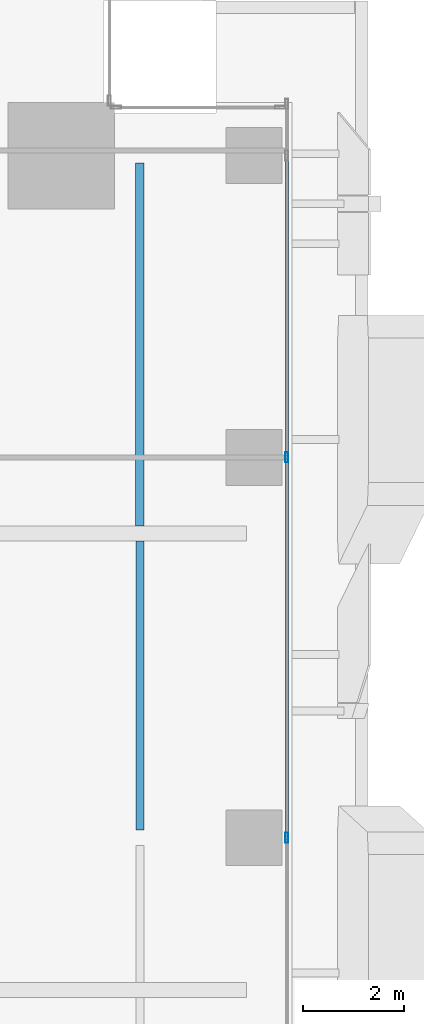
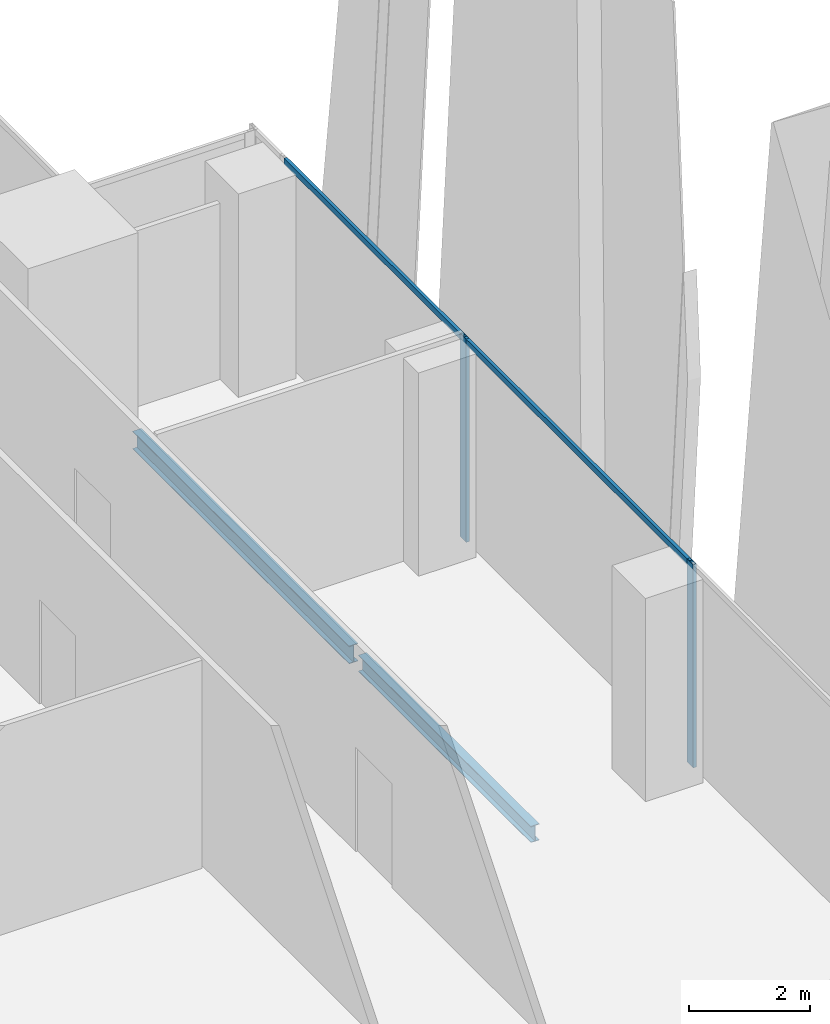
# One storey, part 17 of 37: 4 members, 2 beams, 1 element without a shape of its own.
"""IFC4 building model written with IfcOpenShell, lengths in metres."""

from ifc_helpers import new_model, si_unit, direction, frame, origin, origin_2d, place, context, subcontext, project, spatial, hollow_rectangle, i_section, extrude, source, transform, mapped, material, material_profile, profile_set, type_object, element, aggregate, save


model = new_model("IFC4")

# Units and contexts
model_context = context("Model", 3, precision=1e-05, world=origin(), true_north=direction((0.0, 1.0)))
body_context = subcontext(model_context, "Body", "Model", "MODEL_VIEW")
ifc_project = project(units=[si_unit("LENGTHUNIT", "METRE"), si_unit("AREAUNIT", "SQUARE_METRE"), si_unit("VOLUMEUNIT", "CUBIC_METRE"), si_unit("PLANEANGLEUNIT", "RADIAN"), si_unit("MASSUNIT", "GRAM", prefix="KILO")], contexts=[model_context])

# Site, building, storey
site_placement = place(None, origin())
site = spatial("IfcSite", under=ifc_project, at=site_placement, CompositionType="ELEMENT")
building_placement = place(site_placement, origin())
building = spatial("IfcBuilding", under=site, at=building_placement, Name="Khomas Fold Tower", CompositionType="ELEMENT")
storey_placement = place(building_placement, frame((0.0, 0.0, 101.5)))
storey = spatial("IfcBuildingStorey", under=building, at=storey_placement, Name="L21", CompositionType="ELEMENT", Elevation=101.5)

# Beams
ifc_material_1 = material(Name="Steel S355", Category="steel")
ifc_material_profile_1 = material_profile(ifc_material_1, i_section(OverallWidth=0.159912109375, OverallDepth=0.330078125, WebThickness=0.007568359375, FlangeThickness=0.011474609375, at=origin_2d()), Name="IPE 330")
ifc_profile_set_1 = profile_set([ifc_material_profile_1], Name="Steel S355")
beam_type_1 = type_object("IfcBeamType", Name="IPE 330 beam JB1", PredefinedType="BEAM", material=ifc_profile_set_1)
shared_shape_1 = source(origin(), body_context, "Body", "SweptSolid", [
    extrude(i_section(OverallWidth=0.159912109375, OverallDepth=0.330078125, WebThickness=0.007568359375, FlangeThickness=0.011474609375, at=origin_2d()), origin(), (0.0, 0.0, 1.0), 5.698486328125),
])
beam_1_placement = place(storey_placement, frame((49.5, 34.651611328125, -0.465087890625), z_axis=(0.0, 1.0, 0.0), x_axis=(-1.0, 0.0, 0.0)))
element("IfcBeam", 1, at=beam_1_placement, inside=storey, type_object=beam_type_1, Name="JB1", PredefinedType="BEAM", context=body_context, shape_type="MappedRepresentation", body=[
    mapped(shared_shape_1, transform((0.0, 0.0, 0.0))),
])
ifc_material_2 = material(Name="Steel S355", Category="steel")
ifc_material_profile_2 = material_profile(ifc_material_2, i_section(OverallWidth=0.169921875, OverallDepth=0.360107421875, WebThickness=0.008056640625, FlangeThickness=0.0126953125, at=origin_2d()), Name="IPE 360")
ifc_profile_set_2 = profile_set([ifc_material_profile_2], Name="Steel S355")
beam_type_2 = type_object("IfcBeamType", Name="IPE 360 beam JB2", PredefinedType="BEAM", material=ifc_profile_set_2)
shared_shape_2 = source(origin(), body_context, "Body", "SweptSolid", [
    extrude(i_section(OverallWidth=0.169921875, OverallDepth=0.360107421875, WebThickness=0.008056640625, FlangeThickness=0.0126953125, at=origin_2d()), origin(), (0.0, 0.0, 1.0), 7.150146484375),
])
beam_2_placement = place(storey_placement, frame((49.5, 40.64990234375, -0.47998046875), z_axis=(0.0, 1.0, 0.0), x_axis=(-1.0, 0.0, 0.0)))
element("IfcBeam", 2, at=beam_2_placement, inside=storey, type_object=beam_type_2, Name="JB2", PredefinedType="BEAM", context=body_context, shape_type="MappedRepresentation", body=[
    mapped(shared_shape_2, transform((0.0, 0.0, 0.0))),
])

# Curtain wall, members
ifc_material_3 = material(Name="Aluminium framed double glazing", Category="aluminium")
curtain_wall_type = type_object("IfcCurtainWallType", Name="SK-Unitised clear-glass wall, growing floors CW1", PredefinedType="NOTDEFINED", material=ifc_material_3)
curtain_wall_placement = place(storey_placement, origin())
curtain_wall = element("IfcCurtainWall", 3, at=curtain_wall_placement, inside=storey, type_object=curtain_wall_type, Name="CW1 run L21 03-1", PredefinedType="NOTDEFINED")
ifc_material_4 = material(Name="Aluminium", Category="aluminium")
ifc_material_profile_3 = material_profile(ifc_material_4, hollow_rectangle(XDim=0.06005859375, YDim=0.1201171875, WallThickness=0.00390625, at=origin_2d()), Name="SK-Unitised clear-glass wall, growing floors transom CW1-T")
ifc_profile_set_3 = profile_set([ifc_material_profile_3], Name="Aluminium")
member_type_1 = type_object("IfcMemberType", Name="SK-Unitised clear-glass wall, growing floors transom CW1-T", PredefinedType="USERDEFINED", material=ifc_profile_set_3)
shared_shape_3 = source(origin(), body_context, "Body", "SweptSolid", [
    extrude(hollow_rectangle(XDim=0.06005859375, YDim=0.1201171875, WallThickness=0.00390625, at=origin_2d()), origin(), (0.0, 0.0, 1.0), 7.43994140625),
])
member_1_placement = place(storey_placement, frame((52.39990234375, 34.530029296875, 4.0400390625), z_axis=(0.0, 1.0, 0.0), x_axis=(-1.0, 0.0, 0.0)))
member_1 = element("IfcMember", 4, at=member_1_placement, type_object=member_type_1, Name="CW1 transom 3", ObjectType="TRANSOM", PredefinedType="USERDEFINED", context=body_context, shape_type="MappedRepresentation", body=[
    mapped(shared_shape_3, transform((0.0, 0.0, 0.0))),
])
ifc_material_5 = material(Name="Aluminium", Category="aluminium")
ifc_material_profile_4 = material_profile(ifc_material_5, hollow_rectangle(XDim=0.06005859375, YDim=0.199951171875, WallThickness=0.00390625, at=origin_2d()), Name="SK-Unitised clear-glass wall, growing floors mullion CW1-M")
ifc_profile_set_4 = profile_set([ifc_material_profile_4], Name="Aluminium")
member_type_2 = type_object("IfcMemberType", Name="SK-Unitised clear-glass wall, growing floors mullion CW1-M", PredefinedType="MULLION", material=ifc_profile_set_4)
shared_shape_4 = source(origin(), body_context, "Body", "SweptSolid", [
    extrude(hollow_rectangle(XDim=0.06005859375, YDim=0.199951171875, WallThickness=0.00390625, at=origin_2d()), origin(), (0.0, 0.0, 1.0), 4.10009765625),
])
member_2_placement = place(storey_placement, frame((52.39990234375, 34.5, 0.0), z_axis=(0.0, 0.0, 1.0), x_axis=(-1.0, 0.0, 0.0)))
member_2 = element("IfcMember", 5, at=member_2_placement, type_object=member_type_2, Name="CW1 mullion 3", PredefinedType="MULLION", context=body_context, shape_type="MappedRepresentation", body=[
    mapped(shared_shape_4, transform((0.0, 0.0, 0.0))),
])
member_3_placement = place(storey_placement, frame((52.39990234375, 42.0, 0.0), z_axis=(0.0, 0.0, 1.0), x_axis=(-1.0, 0.0, 0.0)))
member_3 = element("IfcMember", 6, at=member_3_placement, type_object=member_type_2, Name="CW1 mullion 4", PredefinedType="MULLION", context=body_context, shape_type="MappedRepresentation", body=[
    mapped(shared_shape_4, transform((0.0, 0.0, 0.0))),
])
shared_shape_5 = source(origin(), body_context, "Body", "SweptSolid", [
    extrude(hollow_rectangle(XDim=0.06005859375, YDim=0.1201171875, WallThickness=0.00390625, at=origin_2d()), origin(), (0.0, 0.0, 1.0), 5.889892578125),
])
member_4_placement = place(storey_placement, frame((52.39990234375, 42.030029296875, 4.0400390625), z_axis=(0.0, 1.0, 0.0), x_axis=(-1.0, 0.0, 0.0)))
member_4 = element("IfcMember", 7, at=member_4_placement, type_object=member_type_1, Name="CW1 transom 4", ObjectType="TRANSOM", PredefinedType="USERDEFINED", context=body_context, shape_type="MappedRepresentation", body=[
    mapped(shared_shape_5, transform((0.0, 0.0, 0.0))),
])
aggregate(curtain_wall, [member_2, member_3, member_1, member_4])

save(model, "model.ifc")
